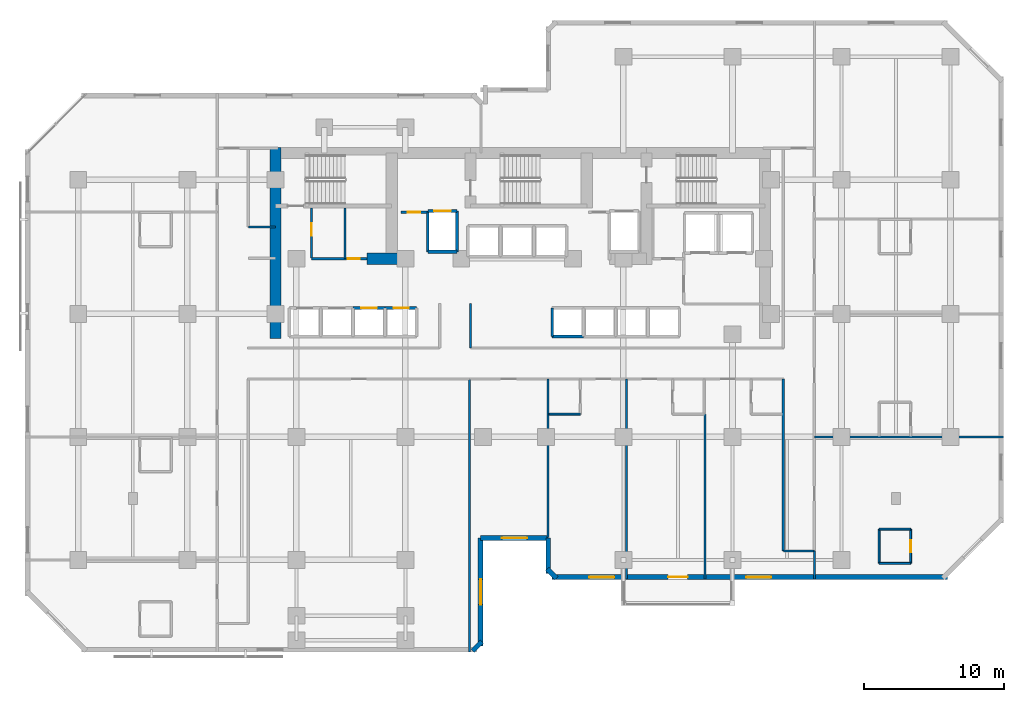
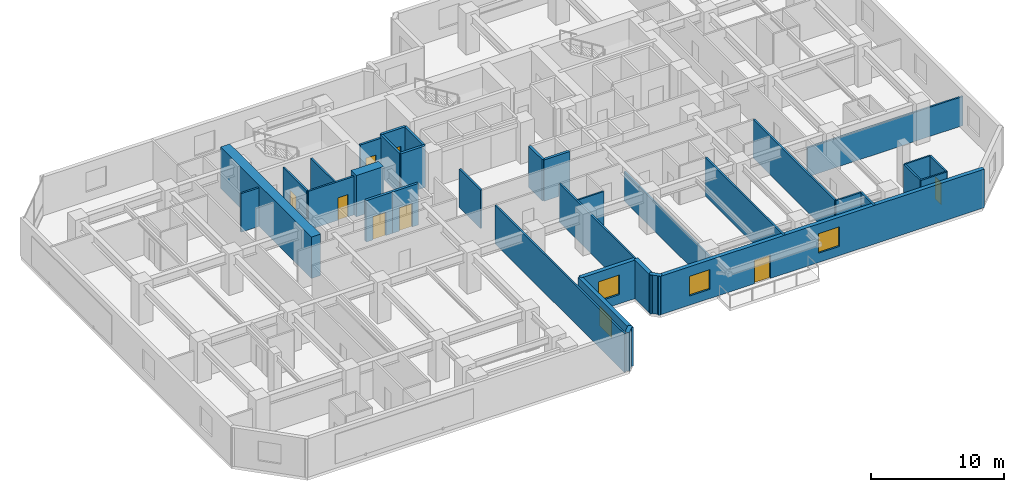
# One storey, part 7 of 12: 35 walls, 8 doors, 4 windows, 12 openings.
"""IFC4 building model written with IfcOpenShell, lengths in metres."""

from ifc_helpers import new_model, si_unit, direction, frame, frame_2d, origin, place, context, subcontext, project, spatial, rectangle, extrude, material, layer, layer_set, type_object, element, fill, save


model = new_model("IFC4")

# Units and contexts
model_context = context("Model", 3, precision=1e-05, world=origin(), true_north=direction((0.0, 1.0)))
body_context = subcontext(model_context, "Body", "Model", "MODEL_VIEW")
ifc_project = project(units=[si_unit("LENGTHUNIT", "METRE"), si_unit("AREAUNIT", "SQUARE_METRE"), si_unit("VOLUMEUNIT", "CUBIC_METRE"), si_unit("PLANEANGLEUNIT", "RADIAN"), si_unit("MASSUNIT", "GRAM", prefix="KILO")], contexts=[model_context])

# Site, building, storey
site_placement = place(None, origin())
site = spatial("IfcSite", under=ifc_project, at=site_placement, CompositionType="ELEMENT")
building_placement = place(site_placement, origin())
building = spatial("IfcBuilding", under=site, at=building_placement, Name="Kestravale Grand Hotel", CompositionType="ELEMENT")
storey_placement = place(building_placement, frame((0.0, 0.0, 118.39990234375)))
storey = spatial("IfcBuildingStorey", under=building, at=storey_placement, Name="L29", CompositionType="ELEMENT", Elevation=118.39990234375)

# Walls
ifc_material_1 = material(Name="Concrete f'c 60 MPa", Category="concrete")
ifc_layer_1 = layer(ifc_material_1, 0.800048828125)
ifc_layer_set_1 = layer_set([ifc_layer_1], Name="EW-CORE-800")
wall_type_1 = type_object("IfcWallType", Name="EW-CORE-800", PredefinedType="SHEAR", material=ifc_layer_set_1)
wall_1_placement = place(storey_placement, frame((21.89990234375, 27.050048828125, 0.0), z_axis=(0.0, 0.0, 1.0), x_axis=(0.0, 1.0, 0.0)))
element("IfcWall", 1, at=wall_1_placement, inside=storey, type_object=wall_type_1, Name="L29 core shear wall W1", PredefinedType="SHEAR", context=body_context, shape_type="SweptSolid", body=[
    extrude(rectangle(XDim=13.669921875, YDim=0.800048828125, at=frame_2d((6.8349609375, 0.0))), origin(), (0.0, 0.0, 1.0), 3.800048828125),
])
wall_2_placement = place(storey_placement, frame((28.449951171875, 32.75, 0.0), z_axis=(0.0, 0.0, 1.0), x_axis=(1.0, 0.0, 0.0)))
element("IfcWall", 2, at=wall_2_placement, inside=storey, type_object=wall_type_1, Name="L29 core shear wall S1", PredefinedType="SHEAR", context=body_context, shape_type="SweptSolid", body=[
    extrude(rectangle(XDim=2.400146484375, YDim=0.800048828125, at=frame_2d((1.2001953125, 0.0))), origin(), (0.0, 0.0, 1.0), 3.800048828125),
])
ifc_material_2 = material(Name="Precast concrete f'c 45 MPa", Category="concrete")
ifc_layer_2 = layer(ifc_material_2, 0.340087890625)
ifc_layer_set_2 = layer_set([ifc_layer_2], Name="EW-PREC-340")
wall_type_2 = type_object("IfcWallType", Name="EW-PREC-340", PredefinedType="SOLIDWALL", material=ifc_layer_set_2)
wall_3_placement = place(storey_placement, frame((36.00146484375, 4.69189453125, 0.0), z_axis=(0.0, 0.0, 1.0), x_axis=(0.707238225886, 0.706975312048, 0.0)))
element("IfcWall", 3, at=wall_3_placement, inside=storey, type_object=wall_type_2, Name="L29 fluted precast facade wall 2", PredefinedType="SOLIDWALL", context=body_context, shape_type="SweptSolid", body=[
    extrude(rectangle(XDim=0.9287109375, YDim=0.340087890625, at=frame_2d((0.46435546875, 0.0))), origin(), (0.0, 0.0, 1.0), 3.5400390625),
])

# Wall, opening, window
wall_4_placement = place(storey_placement, frame((36.580078125, 5.030029296875, 0.0), z_axis=(0.0, 0.0, 1.0), x_axis=(0.0, 1.0, 0.0)))
wall_4 = element("IfcWall", 4, at=wall_4_placement, inside=storey, type_object=wall_type_2, Name="L29 fluted precast facade wall 3", PredefinedType="SOLIDWALL", context=body_context, shape_type="SweptSolid", body=[
    extrude(rectangle(XDim=7.739990234375, YDim=0.340087890625, at=frame_2d((3.8701171875, 0.0))), origin(), (0.0, 0.0, 1.0), 3.5400390625),
])
opening_1_placement = place(wall_4_placement, frame((2.969970703125, 0.0, 0.85009765625)))
opening_1 = element("IfcOpeningElement", 5, at=opening_1_placement, cuts=wall_4, Name="Opening W-GUEST-1800", PredefinedType="OPENING", context=body_context, shape_type="SweptSolid", body=[
    extrude(rectangle(XDim=1.800048828125, YDim=1.800048828125, at=frame_2d((0.89990234375, 0.89990234375))), frame((0.0, 0.179931640625, 0.0), z_axis=(0.0, -1.0, 0.0), x_axis=(1.0, 0.0, 0.0)), (0.0, 0.0, 1.0), 0.360107421875),
])
ifc_material_3 = material(Name="Insulated low-E double glazing in aluminium frame", Category="aluminium")
window_type = type_object("IfcWindowType", Name="W-GUEST-1800", PartitioningType="DOUBLE_PANEL_VERTICAL", PredefinedType="WINDOW", material=ifc_material_3)
window_1_placement = place(opening_1_placement, origin())
window_1 = element("IfcWindow", 6, at=window_1_placement, inside=storey, type_object=window_type, Name="L29 exterior window 3.1", OverallHeight=1.800048828125, OverallWidth=1.800048828125, PartitioningType="SINGLE_PANEL", PredefinedType="WINDOW", context=body_context, shape_type="SweptSolid", body=[
    extrude(rectangle(XDim=1.800048828125, YDim=1.800048828125, at=frame_2d((0.89990234375, 0.89990234375))), frame((0.0, 0.030029296875, 0.0), z_axis=(0.0, -1.0, 0.0), x_axis=(1.0, 0.0, 0.0)), (0.0, 0.0, 1.0), 0.06005859375),
])
fill(opening_1, window_1)

wall_5_placement = place(storey_placement, frame((36.580078125, 12.77001953125, 0.0), z_axis=(0.0, 0.0, 1.0), x_axis=(1.0, 0.0, 0.0)))
wall_5 = element("IfcWall", 7, at=wall_5_placement, inside=storey, type_object=wall_type_2, Name="L29 fluted precast facade wall 4", PredefinedType="SOLIDWALL", context=body_context, shape_type="SweptSolid", body=[
    extrude(rectangle(XDim=4.83984375, YDim=0.340087890625, at=frame_2d((2.419921875, 0.0))), origin(), (0.0, 0.0, 1.0), 3.5400390625),
])
opening_2_placement = place(wall_5_placement, frame((1.52001953125, 0.0, 0.85009765625)))
opening_2 = element("IfcOpeningElement", 8, at=opening_2_placement, cuts=wall_5, Name="Opening W-GUEST-1800", PredefinedType="OPENING", context=body_context, shape_type="SweptSolid", body=[
    extrude(rectangle(XDim=1.800048828125, YDim=1.800048828125, at=frame_2d((0.89990234375, 0.89990234375))), frame((0.0, 0.179931640625, 0.0), z_axis=(0.0, -1.0, 0.0), x_axis=(1.0, 0.0, 0.0)), (0.0, 0.0, 1.0), 0.360107421875),
])
window_2_placement = place(opening_2_placement, origin())
window_2 = element("IfcWindow", 9, at=window_2_placement, inside=storey, type_object=window_type, Name="L29 exterior window 4.1", OverallHeight=1.800048828125, OverallWidth=1.800048828125, PartitioningType="SINGLE_PANEL", PredefinedType="WINDOW", context=body_context, shape_type="SweptSolid", body=[
    extrude(rectangle(XDim=1.800048828125, YDim=1.800048828125, at=frame_2d((0.89990234375, 0.89990234375))), frame((0.0, 0.030029296875, 0.0), z_axis=(0.0, -1.0, 0.0), x_axis=(1.0, 0.0, 0.0)), (0.0, 0.0, 1.0), 0.06005859375),
])
fill(opening_2, window_2)

# Walls
wall_6_placement = place(storey_placement, frame((41.419921875, 12.77001953125, 0.0), z_axis=(0.0, 0.0, 1.0), x_axis=(0.0, -1.0, 0.0)))
element("IfcWall", 10, at=wall_6_placement, inside=storey, type_object=wall_type_2, Name="L29 fluted precast facade wall 5", PredefinedType="SOLIDWALL", context=body_context, shape_type="SweptSolid", body=[
    extrude(rectangle(XDim=2.5400390625, YDim=0.340087890625, at=frame_2d((1.27001953125, 0.0))), origin(), (0.0, 0.0, 1.0), 3.5400390625),
])
wall_7_placement = place(storey_placement, frame((41.341796875, 10.548583984375, 0.0), z_axis=(0.0, 0.0, 1.0), x_axis=(0.707106781187, -0.707106781187, 0.0)))
element("IfcWall", 11, at=wall_7_placement, inside=storey, type_object=wall_type_2, Name="L29 fluted precast facade wall 6", PredefinedType="SOLIDWALL", context=body_context, shape_type="SweptSolid", body=[
    extrude(rectangle(XDim=0.9287109375, YDim=0.340087890625, at=frame_2d((0.46435546875, 0.0))), origin(), (0.0, 0.0, 1.0), 3.5400390625),
])

# Wall, openings, door, windows
wall_8_placement = place(storey_placement, frame((41.679931640625, 9.969970703125, 0.0), z_axis=(0.0, 0.0, 1.0), x_axis=(1.0, 0.0, 0.0)))
wall_8 = element("IfcWall", 12, at=wall_8_placement, inside=storey, type_object=wall_type_2, Name="L29 fluted precast facade wall 7", PredefinedType="SOLIDWALL", context=body_context, shape_type="SweptSolid", body=[
    extrude(rectangle(XDim=28.2900390625, YDim=0.340087890625, at=frame_2d((14.14501953125, 0.0))), origin(), (0.0, 0.0, 1.0), 3.5400390625),
])
opening_3_placement = place(wall_8_placement, frame((8.320068359375, 0.0, 0.0)))
opening_3 = element("IfcOpeningElement", 13, at=opening_3_placement, cuts=wall_8, Name="Opening D-TERR-1400", PredefinedType="OPENING", context=body_context, shape_type="SweptSolid", body=[
    extrude(rectangle(XDim=1.39990234375, YDim=2.14990234375, at=frame_2d((0.699951171875, 1.074951171875))), frame((0.0, 0.179931640625, 0.0), z_axis=(0.0, -1.0, 0.0), x_axis=(1.0, 0.0, 0.0)), (0.0, 0.0, 1.0), 0.360107421875),
])
opening_4_placement = place(wall_8_placement, frame((2.6650390625, 0.0, 0.85009765625)))
opening_4 = element("IfcOpeningElement", 14, at=opening_4_placement, cuts=wall_8, Name="Opening W-GUEST-1800", PredefinedType="OPENING", context=body_context, shape_type="SweptSolid", body=[
    extrude(rectangle(XDim=1.800048828125, YDim=1.800048828125, at=frame_2d((0.89990234375, 0.89990234375))), frame((0.0, 0.179931640625, 0.0), z_axis=(0.0, -1.0, 0.0), x_axis=(1.0, 0.0, 0.0)), (0.0, 0.0, 1.0), 0.360107421875),
])
opening_5_placement = place(wall_8_placement, frame((13.89501953125, 0.0, 0.85009765625)))
opening_5 = element("IfcOpeningElement", 15, at=opening_5_placement, cuts=wall_8, Name="Opening W-GUEST-1800", PredefinedType="OPENING", context=body_context, shape_type="SweptSolid", body=[
    extrude(rectangle(XDim=1.800048828125, YDim=1.800048828125, at=frame_2d((0.89990234375, 0.89990234375))), frame((0.0, 0.179931640625, 0.0), z_axis=(0.0, -1.0, 0.0), x_axis=(1.0, 0.0, 0.0)), (0.0, 0.0, 1.0), 0.360107421875),
])
ifc_material_4 = material(Name="Insulated glazed champagne-bronze aluminium door", Category="aluminium")
door_type_1 = type_object("IfcDoorType", Name="D-TERR-1400", OperationType="NOTDEFINED", PredefinedType="DOOR", material=ifc_material_4)
door_1_placement = place(opening_3_placement, origin())
door_1 = element("IfcDoor", 16, at=door_1_placement, inside=storey, type_object=door_type_1, Name="L29 outdoor garden terrace door", OperationType="DOUBLE_DOOR_SINGLE_SWING", OverallHeight=2.14990234375, OverallWidth=1.39990234375, PredefinedType="DOOR", context=body_context, shape_type="SweptSolid", body=[
    extrude(rectangle(XDim=1.39990234375, YDim=2.14990234375, at=frame_2d((0.699951171875, 1.074951171875))), frame((0.0, 0.02490234375, 0.0), z_axis=(0.0, -1.0, 0.0), x_axis=(1.0, 0.0, 0.0)), (0.0, 0.0, 1.0), 0.050048828125),
])
fill(opening_3, door_1)
window_3_placement = place(opening_4_placement, origin())
window_3 = element("IfcWindow", 17, at=window_3_placement, inside=storey, type_object=window_type, Name="L29 exterior window 7.1", OverallHeight=1.800048828125, OverallWidth=1.800048828125, PartitioningType="SINGLE_PANEL", PredefinedType="WINDOW", context=body_context, shape_type="SweptSolid", body=[
    extrude(rectangle(XDim=1.800048828125, YDim=1.800048828125, at=frame_2d((0.89990234375, 0.89990234375))), frame((0.0, 0.030029296875, 0.0), z_axis=(0.0, -1.0, 0.0), x_axis=(1.0, 0.0, 0.0)), (0.0, 0.0, 1.0), 0.06005859375),
])
fill(opening_4, window_3)
window_4_placement = place(opening_5_placement, origin())
window_4 = element("IfcWindow", 18, at=window_4_placement, inside=storey, type_object=window_type, Name="L29 exterior window 7.2", OverallHeight=1.800048828125, OverallWidth=1.800048828125, PartitioningType="SINGLE_PANEL", PredefinedType="WINDOW", context=body_context, shape_type="SweptSolid", body=[
    extrude(rectangle(XDim=1.800048828125, YDim=1.800048828125, at=frame_2d((0.89990234375, 0.89990234375))), frame((0.0, 0.030029296875, 0.0), z_axis=(0.0, -1.0, 0.0), x_axis=(1.0, 0.0, 0.0)), (0.0, 0.0, 1.0), 0.06005859375),
])
fill(opening_5, window_4)

# Wall, opening, door
ifc_material_5 = material(Name="Acoustic fire-rated gypsum board partition", Category="other")
ifc_layer_3 = layer(ifc_material_5, 0.159912109375)
ifc_layer_set_3 = layer_set([ifc_layer_3], Name="IW-CORR-160")
wall_type_3 = type_object("IfcWallType", Name="IW-CORR-160", PredefinedType="PARTITIONING", material=ifc_layer_set_3)
wall_9_placement = place(storey_placement, frame((24.47998046875, 32.800048828125, 0.0), z_axis=(0.0, 0.0, 1.0), x_axis=(0.0, 1.0, 0.0)))
wall_9 = element("IfcWall", 19, at=wall_9_placement, inside=storey, type_object=wall_type_3, Name="L29 west core vestibule wall", PredefinedType="PARTITIONING", context=body_context, shape_type="SweptSolid", body=[
    extrude(rectangle(XDim=3.570068359375, YDim=0.159912109375, at=frame_2d((1.78515625, 0.0))), origin(), (0.0, 0.0, 1.0), 3.5400390625),
])
opening_6_placement = place(wall_9_placement, frame((1.603515625, 0.0, 0.0)))
opening_6 = element("IfcOpeningElement", 20, at=opening_6_placement, cuts=wall_9, Name="Opening D-SH-900", PredefinedType="OPENING", context=body_context, shape_type="SweptSolid", body=[
    extrude(rectangle(XDim=0.89990234375, YDim=2.10009765625, at=frame_2d((0.449951171875, 1.050048828125))), frame((0.0, 0.08984375, 0.0), z_axis=(0.0, -1.0, 0.0), x_axis=(1.0, 0.0, 0.0)), (0.0, 0.0, 1.0), 0.179931640625),
])
ifc_material_6 = material(Name="Galvanised 90-minute shaft and service fire door", Category="steel")
door_type_2 = type_object("IfcDoorType", Name="D-SH-900", OperationType="NOTDEFINED", PredefinedType="DOOR", material=ifc_material_6)
door_2_placement = place(opening_6_placement, origin())
door_2 = element("IfcDoor", 21, at=door_2_placement, inside=storey, type_object=door_type_2, Name="D-L29-HK", OperationType="SINGLE_SWING_RIGHT", OverallHeight=2.10009765625, OverallWidth=0.89990234375, PredefinedType="DOOR", context=body_context, shape_type="SweptSolid", body=[
    extrude(rectangle(XDim=0.89990234375, YDim=2.10009765625, at=frame_2d((0.449951171875, 1.050048828125))), frame((0.0, 0.02490234375, 0.0), z_axis=(0.0, -1.0, 0.0), x_axis=(1.0, 0.0, 0.0)), (0.0, 0.0, 1.0), 0.050048828125),
])
fill(opening_6, door_2)

wall_10_placement = place(storey_placement, frame((24.47998046875, 32.75, 0.0), z_axis=(0.0, 0.0, 1.0), x_axis=(1.0, 0.0, 0.0)))
wall_10 = element("IfcWall", 22, at=wall_10_placement, inside=storey, type_object=wall_type_3, Name="W-L29-CWS", PredefinedType="PARTITIONING", context=body_context, shape_type="SweptSolid", body=[
    extrude(rectangle(XDim=3.969970703125, YDim=0.159912109375, at=frame_2d((1.98486328125, 0.0))), origin(), (0.0, 0.0, 1.0), 3.5400390625),
])
opening_7_placement = place(wall_10_placement, frame((2.5849609375, 0.0, 0.0)))
opening_7 = element("IfcOpeningElement", 23, at=opening_7_placement, cuts=wall_10, Name="Opening D-SH-860", PredefinedType="OPENING", context=body_context, shape_type="SweptSolid", body=[
    extrude(rectangle(XDim=0.860107421875, YDim=2.050048828125, at=frame_2d((0.43017578125, 1.02490234375))), frame((0.0, 0.08984375, 0.0), z_axis=(0.0, -1.0, 0.0), x_axis=(1.0, 0.0, 0.0)), (0.0, 0.0, 1.0), 0.179931640625),
])
ifc_material_7 = material(Name="Galvanised 90-minute riser fire door", Category="steel")
door_type_3 = type_object("IfcDoorType", Name="D-SH-860", OperationType="NOTDEFINED", PredefinedType="DOOR", material=ifc_material_7)
door_3_placement = place(opening_7_placement, origin())
door_3 = element("IfcDoor", 24, at=door_3_placement, inside=storey, type_object=door_type_3, Name="D-L29-ELEC", OperationType="SINGLE_SWING_RIGHT", OverallHeight=2.050048828125, OverallWidth=0.860107421875, PredefinedType="DOOR", context=body_context, shape_type="SweptSolid", body=[
    extrude(rectangle(XDim=0.860107421875, YDim=2.050048828125, at=frame_2d((0.43017578125, 1.02490234375))), frame((0.0, 0.02490234375, 0.0), z_axis=(0.0, -1.0, 0.0), x_axis=(1.0, 0.0, 0.0)), (0.0, 0.0, 1.0), 0.050048828125),
])
fill(opening_7, door_3)

# Walls
wall_11_placement = place(storey_placement, frame((35.85009765625, 26.360107421875, 0.0), z_axis=(0.0, 0.0, 1.0), x_axis=(0.0, 1.0, 0.0)))
element("IfcWall", 25, at=wall_11_placement, inside=storey, type_object=wall_type_3, Name="W-L29-TRUNK-E", PredefinedType="PARTITIONING", context=body_context, shape_type="SweptSolid", body=[
    extrude(rectangle(XDim=3.18994140625, YDim=0.159912109375, at=frame_2d((1.594970703125, 0.0))), origin(), (0.0, 0.0, 1.0), 3.5400390625),
])
wall_12_placement = place(storey_placement, frame((19.9599609375, 35.02001953125, 0.0), z_axis=(0.0, 0.0, 1.0), x_axis=(1.0, 0.0, 0.0)))
element("IfcWall", 26, at=wall_12_placement, inside=storey, type_object=wall_type_3, Name="W-L29-SW-CN", PredefinedType="PARTITIONING", context=body_context, shape_type="SweptSolid", body=[
    extrude(rectangle(XDim=1.93994140625, YDim=0.159912109375, at=frame_2d((0.969970703125, 0.0))), origin(), (0.0, 0.0, 1.0), 3.5400390625),
])
wall_13_placement = place(storey_placement, frame((58.239990234375, 11.85009765625, 0.0), z_axis=(0.0, 0.0, 1.0), x_axis=(0.0, 1.0, 0.0)))
element("IfcWall", 27, at=wall_13_placement, inside=storey, type_object=wall_type_3, Name="W-L29-SE-W", PredefinedType="PARTITIONING", context=body_context, shape_type="SweptSolid", body=[
    extrude(rectangle(XDim=12.289794921875, YDim=0.159912109375, at=frame_2d((6.14501953125, 0.0))), origin(), (0.0, 0.0, 1.0), 3.5400390625),
])

# Wall, opening, door
ifc_material_8 = material(Name="Fire-rated gypsum board on steel studs with mineral wool", Category="steel")
ifc_layer_4 = layer(ifc_material_8, 0.179931640625)
ifc_layer_set_4 = layer_set([ifc_layer_4], Name="IW-FSAE-180")
wall_type_4 = type_object("IfcWallType", Name="IW-FSAE-180", PredefinedType="PARTITIONING", material=ifc_layer_set_4)
wall_14_placement = place(storey_placement, frame((30.89990234375, 36.080078125, 0.0), z_axis=(0.0, 0.0, 1.0), x_axis=(1.0, 0.0, 0.0)))
wall_14 = element("IfcWall", 28, at=wall_14_placement, inside=storey, type_object=wall_type_4, Name="L29 FSAE Lobby 1 smoke barrier", PredefinedType="PARTITIONING", context=body_context, shape_type="SweptSolid", body=[
    extrude(rectangle(XDim=1.85009765625, YDim=0.179931640625, at=frame_2d((0.925048828125, 0.0))), origin(), (0.0, 0.0, 1.0), 3.5400390625),
])
opening_8_placement = place(wall_14_placement, frame((0.47998046875, 0.0, 0.0)))
opening_8 = element("IfcOpeningElement", 29, at=opening_8_placement, cuts=wall_14, Name="Opening D-FSAE-1000", PredefinedType="OPENING", context=body_context, shape_type="SweptSolid", body=[
    extrude(rectangle(XDim=0.89990234375, YDim=2.14990234375, at=frame_2d((0.449951171875, 1.074951171875))), frame((0.0, 0.099853515625, 0.0), z_axis=(0.0, -1.0, 0.0), x_axis=(1.0, 0.0, 0.0)), (0.0, 0.0, 1.0), 0.199951171875),
])
ifc_material_9 = material(Name="Smoke-gasketed FSAE lobby fire door", Category="steel")
door_type_4 = type_object("IfcDoorType", Name="D-FSAE-1000", OperationType="NOTDEFINED", PredefinedType="DOOR", material=ifc_material_9)
door_4_placement = place(opening_8_placement, origin())
door_4 = element("IfcDoor", 30, at=door_4_placement, inside=storey, type_object=door_type_4, Name="L29 FSAE Lobby 1 fire door", OperationType="SINGLE_SWING_RIGHT", OverallHeight=2.14990234375, OverallWidth=0.89990234375, PredefinedType="DOOR", context=body_context, shape_type="SweptSolid", body=[
    extrude(rectangle(XDim=0.89990234375, YDim=2.14990234375, at=frame_2d((0.449951171875, 1.074951171875))), frame((0.0, 0.02490234375, 0.0), z_axis=(0.0, -1.0, 0.0), x_axis=(1.0, 0.0, 0.0)), (0.0, 0.0, 1.0), 0.050048828125),
])
fill(opening_8, door_4)

# Walls
ifc_material_10 = material(Name="Moisture-resistant tile-backer plumbing chase wall", Category="other")
ifc_layer_5 = layer(ifc_material_10, 0.139892578125)
ifc_layer_set_5 = layer_set([ifc_layer_5], Name="IW-PLB-140")
wall_type_5 = type_object("IfcWallType", Name="IW-PLB-140", PredefinedType="PLUMBINGWALL", material=ifc_layer_set_5)
wall_15_placement = place(storey_placement, frame((41.469970703125, 21.6298828125, 0.0), z_axis=(0.0, 0.0, 1.0), x_axis=(1.0, 0.0, 0.0)))
element("IfcWall", 31, at=wall_15_placement, inside=storey, type_object=wall_type_5, Name="W-L29-U01-BS", PredefinedType="PLUMBINGWALL", context=body_context, shape_type="SweptSolid", body=[
    extrude(rectangle(XDim=2.25, YDim=0.139892578125, at=frame_2d((1.125, 0.0))), origin(), (0.0, 0.0, 1.0), 3.5400390625),
])
wall_16_placement = place(storey_placement, frame((65.10009765625, 10.949951171875, 0.0), z_axis=(0.0, 0.0, 1.0), x_axis=(0.0, 1.0, 0.0)))
element("IfcWall", 32, at=wall_16_placement, inside=storey, type_object=wall_type_5, Name="W-L29-U07-BW", PredefinedType="PLUMBINGWALL", context=body_context, shape_type="SweptSolid", body=[
    extrude(rectangle(XDim=2.449951171875, YDim=0.139892578125, at=frame_2d((1.22509765625, 0.0))), origin(), (0.0, 0.0, 1.0), 3.5400390625),
])

# Wall, opening, door
wall_17_placement = place(storey_placement, frame((67.35009765625, 10.949951171875, 0.0), z_axis=(0.0, 0.0, 1.0), x_axis=(0.0, 1.0, 0.0)))
wall_17 = element("IfcWall", 33, at=wall_17_placement, inside=storey, type_object=wall_type_5, Name="W-L29-U07-BE", PredefinedType="PLUMBINGWALL", context=body_context, shape_type="SweptSolid", body=[
    extrude(rectangle(XDim=2.449951171875, YDim=0.139892578125, at=frame_2d((1.22509765625, 0.0))), origin(), (0.0, 0.0, 1.0), 3.5400390625),
])
opening_9_placement = place(wall_17_placement, frame((0.784912109375, 0.0, 0.0)))
opening_9 = element("IfcOpeningElement", 34, at=opening_9_placement, cuts=wall_17, Name="Opening D-BATH-880", PredefinedType="OPENING", context=body_context, shape_type="SweptSolid", body=[
    extrude(rectangle(XDim=0.8798828125, YDim=2.050048828125, at=frame_2d((0.43994140625, 1.02490234375))), frame((0.0, 0.079833984375, 0.0), z_axis=(0.0, -1.0, 0.0), x_axis=(1.0, 0.0, 0.0)), (0.0, 0.0, 1.0), 0.159912109375),
])
ifc_material_11 = material(Name="Moisture-sealed walnut en-suite bathroom door", Category="wood")
door_type_5 = type_object("IfcDoorType", Name="D-BATH-880", OperationType="NOTDEFINED", PredefinedType="DOOR", material=ifc_material_11)
door_5_placement = place(opening_9_placement, origin())
door_5 = element("IfcDoor", 35, at=door_5_placement, inside=storey, type_object=door_type_5, Name="D-L29-U07-BATH", OperationType="SINGLE_SWING_RIGHT", OverallHeight=2.050048828125, OverallWidth=0.8798828125, PredefinedType="DOOR", context=body_context, shape_type="SweptSolid", body=[
    extrude(rectangle(XDim=0.8798828125, YDim=2.050048828125, at=frame_2d((0.43994140625, 1.02490234375))), frame((0.0, 0.02490234375, 0.0), z_axis=(0.0, -1.0, 0.0), x_axis=(1.0, 0.0, 0.0)), (0.0, 0.0, 1.0), 0.050048828125),
])
fill(opening_9, door_5)

# Walls
for number, where, z_axis, x_axis, name in (
    (36, (65.10009765625, 10.949951171875, 0.0), (0.0, 0.0, 1.0), (1.0, 0.0, 0.0), "W-L29-U07-BS"),
    (37, (65.10009765625, 13.39990234375, 0.0), (0.0, 0.0, 1.0), (1.0, 0.0, 0.0), "W-L29-U07-BN"),
):
    element("IfcWall", number, at=place(storey_placement, frame(where, z_axis=z_axis, x_axis=x_axis)), inside=storey, type_object=wall_type_5, Name=name, PredefinedType="PLUMBINGWALL", context=body_context, shape_type="SweptSolid", body=[
        extrude(rectangle(XDim=2.25, YDim=0.139892578125, at=frame_2d((1.125, 0.0))), origin(), (0.0, 0.0, 1.0), 3.5400390625),
    ])
ifc_material_12 = material(Name="Concrete f'c 45 MPa", Category="concrete")
ifc_layer_6 = layer(ifc_material_12, 0.199951171875)
ifc_layer_set_6 = layer_set([ifc_layer_6], Name="IW-SHAFT-200")
wall_type_6 = type_object("IfcWallType", Name="IW-SHAFT-200", PredefinedType="SHEAR", material=ifc_layer_set_6)
wall_18_placement = place(storey_placement, frame((41.705078125, 27.169921875, 0.0), z_axis=(0.0, 0.0, 1.0), x_axis=(0.0, 1.0, 0.0)))
element("IfcWall", 38, at=wall_18_placement, inside=storey, type_object=wall_type_6, Name="L29 PL-M1 west shaft wall", PredefinedType="SHEAR", context=body_context, shape_type="SweptSolid", body=[
    extrude(rectangle(XDim=2.06005859375, YDim=0.199951171875, at=frame_2d((1.030029296875, 0.0))), origin(), (0.0, 0.0, 1.0), 3.800048828125),
])
for number, where, z_axis, x_axis, name in (
    (39, (32.804931640625, 33.2451171875, 0.0), (0.0, 0.0, 1.0), (0.0, 1.0, 0.0), "L29 FL-1 west shaft wall"),
    (40, (34.89501953125, 33.2451171875, 0.0), (0.0, 0.0, 1.0), (0.0, 1.0, 0.0), "L29 FL-1 east shaft wall"),
):
    element("IfcWall", number, at=place(storey_placement, frame(where, z_axis=z_axis, x_axis=x_axis)), inside=storey, type_object=wall_type_6, Name=name, PredefinedType="SHEAR", context=body_context, shape_type="SweptSolid", body=[
        extrude(rectangle(XDim=2.909912109375, YDim=0.199951171875, at=frame_2d((1.455078125, 0.0))), origin(), (0.0, 0.0, 1.0), 3.800048828125),
    ])

# Wall, opening, door
ifc_material_13 = material(Name="Concrete f'c 45 MPa", Category="concrete")
ifc_layer_7 = layer(ifc_material_13, 0.219970703125)
ifc_layer_set_7 = layer_set([ifc_layer_7], Name="IW-SHAFT-220")
wall_type_7 = type_object("IfcWallType", Name="IW-SHAFT-220", PredefinedType="SHEAR", material=ifc_layer_set_7)
wall_19_placement = place(storey_placement, frame((27.449951171875, 29.22998046875, 0.0), z_axis=(0.0, 0.0, 1.0), x_axis=(1.0, 0.0, 0.0)))
wall_19 = element("IfcWall", 41, at=wall_19_placement, inside=storey, type_object=wall_type_7, Name="L29 PL-L3 north shaft wall", PredefinedType="SHEAR", context=body_context, shape_type="SweptSolid", body=[
    extrude(rectangle(XDim=2.300048828125, YDim=0.219970703125, at=frame_2d((1.14990234375, 0.0))), origin(), (0.0, 0.0, 1.0), 3.800048828125),
])
opening_10_placement = place(wall_19_placement, frame((0.60009765625, 0.0, 0.0)))
opening_10 = element("IfcOpeningElement", 42, at=opening_10_placement, cuts=wall_19, Name="Opening LD-PAX-1100", PredefinedType="OPENING", context=body_context, shape_type="SweptSolid", body=[
    extrude(rectangle(XDim=1.10009765625, YDim=2.14990234375, at=frame_2d((0.550048828125, 1.074951171875))), frame((0.0, 0.119873046875, 0.0), z_axis=(0.0, -1.0, 0.0), x_axis=(1.0, 0.0, 0.0)), (0.0, 0.0, 1.0), 0.239990234375),
])
ifc_material_14 = material(Name="Champagne-bronze center-opening sliding elevator landing door", Category="steel")
door_type_6 = type_object("IfcDoorType", Name="LD-PAX-1100", OperationType="NOTDEFINED", PredefinedType="DOOR", material=ifc_material_14)
door_6_placement = place(opening_10_placement, origin())
door_6 = element("IfcDoor", 43, at=door_6_placement, inside=storey, type_object=door_type_6, Name="L29 PL-L3 elevator landing sliding door", OperationType="DOUBLE_DOOR_SLIDING", OverallHeight=2.14990234375, OverallWidth=1.10009765625, PredefinedType="DOOR", context=body_context, shape_type="SweptSolid", body=[
    extrude(rectangle(XDim=1.10009765625, YDim=2.14990234375, at=frame_2d((0.550048828125, 1.074951171875))), frame((0.0, 0.02490234375, 0.0), z_axis=(0.0, -1.0, 0.0), x_axis=(1.0, 0.0, 0.0)), (0.0, 0.0, 1.0), 0.050048828125),
])
fill(opening_10, door_6)

wall_20_placement = place(storey_placement, frame((29.75, 29.22998046875, 0.0), z_axis=(0.0, 0.0, 1.0), x_axis=(1.0, 0.0, 0.0)))
wall_20 = element("IfcWall", 44, at=wall_20_placement, inside=storey, type_object=wall_type_7, Name="L29 PL-L4 north shaft wall", PredefinedType="SHEAR", context=body_context, shape_type="SweptSolid", body=[
    extrude(rectangle(XDim=2.2451171875, YDim=0.219970703125, at=frame_2d((1.12255859375, 0.0))), origin(), (0.0, 0.0, 1.0), 3.800048828125),
])
opening_11_placement = place(wall_20_placement, frame((0.60009765625, 0.0, 0.0)))
opening_11 = element("IfcOpeningElement", 45, at=opening_11_placement, cuts=wall_20, Name="Opening LD-PAX-1100", PredefinedType="OPENING", context=body_context, shape_type="SweptSolid", body=[
    extrude(rectangle(XDim=1.10009765625, YDim=2.14990234375, at=frame_2d((0.550048828125, 1.074951171875))), frame((0.0, 0.119873046875, 0.0), z_axis=(0.0, -1.0, 0.0), x_axis=(1.0, 0.0, 0.0)), (0.0, 0.0, 1.0), 0.239990234375),
])
door_7_placement = place(opening_11_placement, origin())
door_7 = element("IfcDoor", 46, at=door_7_placement, inside=storey, type_object=door_type_6, Name="L29 PL-L4 elevator landing sliding door", OperationType="DOUBLE_DOOR_SLIDING", OverallHeight=2.14990234375, OverallWidth=1.10009765625, PredefinedType="DOOR", context=body_context, shape_type="SweptSolid", body=[
    extrude(rectangle(XDim=1.10009765625, YDim=2.14990234375, at=frame_2d((0.550048828125, 1.074951171875))), frame((0.0, 0.02490234375, 0.0), z_axis=(0.0, -1.0, 0.0), x_axis=(1.0, 0.0, 0.0)), (0.0, 0.0, 1.0), 0.050048828125),
])
fill(opening_11, door_7)

# Wall
wall_21_placement = place(storey_placement, frame((41.705078125, 27.169921875, 0.0), z_axis=(0.0, 0.0, 1.0), x_axis=(1.0, 0.0, 0.0)))
element("IfcWall", 47, at=wall_21_placement, inside=storey, type_object=wall_type_7, Name="L29 PL-M1 south shaft wall", PredefinedType="SHEAR", context=body_context, shape_type="SweptSolid", body=[
    extrude(rectangle(XDim=2.244873046875, YDim=0.219970703125, at=frame_2d((1.12255859375, 0.0))), origin(), (0.0, 0.0, 1.0), 3.800048828125),
])

# Wall, opening, door
wall_22_placement = place(storey_placement, frame((32.804931640625, 36.155029296875, 0.0), z_axis=(0.0, 0.0, 1.0), x_axis=(1.0, 0.0, 0.0)))
wall_22 = element("IfcWall", 48, at=wall_22_placement, inside=storey, type_object=wall_type_7, Name="L29 FL-1 north shaft wall", PredefinedType="SHEAR", context=body_context, shape_type="SweptSolid", body=[
    extrude(rectangle(XDim=2.090087890625, YDim=0.219970703125, at=frame_2d((1.044921875, 0.0))), origin(), (0.0, 0.0, 1.0), 3.800048828125),
])
opening_12_placement = place(wall_22_placement, frame((0.445068359375, 0.0, 0.0)))
opening_12 = element("IfcOpeningElement", 49, at=opening_12_placement, cuts=wall_22, Name="Opening LD-FSAE-1200", PredefinedType="OPENING", context=body_context, shape_type="SweptSolid", body=[
    extrude(rectangle(XDim=1.199951171875, YDim=2.14990234375, at=frame_2d((0.60009765625, 1.074951171875))), frame((0.0, 0.119873046875, 0.0), z_axis=(0.0, -1.0, 0.0), x_axis=(1.0, 0.0, 0.0)), (0.0, 0.0, 1.0), 0.239990234375),
])
ifc_material_15 = material(Name="Stainless fire-service sliding elevator landing door", Category="steel")
door_type_7 = type_object("IfcDoorType", Name="LD-FSAE-1200", OperationType="NOTDEFINED", PredefinedType="DOOR", material=ifc_material_15)
door_8_placement = place(opening_12_placement, origin())
door_8 = element("IfcDoor", 50, at=door_8_placement, inside=storey, type_object=door_type_7, Name="L29 FL-1 elevator landing sliding door", OperationType="DOUBLE_DOOR_SLIDING", OverallHeight=2.14990234375, OverallWidth=1.199951171875, PredefinedType="DOOR", context=body_context, shape_type="SweptSolid", body=[
    extrude(rectangle(XDim=1.199951171875, YDim=2.14990234375, at=frame_2d((0.60009765625, 1.074951171875))), frame((0.0, 0.02490234375, 0.0), z_axis=(0.0, -1.0, 0.0), x_axis=(1.0, 0.0, 0.0)), (0.0, 0.0, 1.0), 0.050048828125),
])
fill(opening_12, door_8)

# Walls
wall_23_placement = place(storey_placement, frame((32.804931640625, 33.2451171875, 0.0), z_axis=(0.0, 0.0, 1.0), x_axis=(1.0, 0.0, 0.0)))
element("IfcWall", 51, at=wall_23_placement, inside=storey, type_object=wall_type_7, Name="L29 FL-1 south shaft wall", PredefinedType="SHEAR", context=body_context, shape_type="SweptSolid", body=[
    extrude(rectangle(XDim=2.090087890625, YDim=0.219970703125, at=frame_2d((1.044921875, 0.0))), origin(), (0.0, 0.0, 1.0), 3.800048828125),
])
ifc_material_16 = material(Name="Double-stud STC 52 acoustic demising partition", Category="other")
ifc_layer_8 = layer(ifc_material_16, 0.14990234375)
ifc_layer_set_8 = layer_set([ifc_layer_8], Name="IW-UNIT-150")
wall_type_8 = type_object("IfcWallType", Name="IW-UNIT-150", PredefinedType="PARTITIONING", material=ifc_layer_set_8)
wall_24_placement = place(storey_placement, frame((26.8798828125, 32.75, 0.0), z_axis=(0.0, 0.0, 1.0), x_axis=(0.0, 1.0, 0.0)))
element("IfcWall", 52, at=wall_24_placement, inside=storey, type_object=wall_type_8, Name="W-L29-CC0-1", PredefinedType="PARTITIONING", context=body_context, shape_type="SweptSolid", body=[
    extrude(rectangle(XDim=3.6201171875, YDim=0.14990234375, at=frame_2d((1.81005859375, 0.0))), origin(), (0.0, 0.0, 1.0), 3.5400390625),
])
wall_25_placement = place(storey_placement, frame((58.239990234375, 11.85009765625, 0.0), z_axis=(0.0, 0.0, 1.0), x_axis=(1.0, 0.0, 0.0)))
element("IfcWall", 53, at=wall_25_placement, inside=storey, type_object=wall_type_8, Name="W-L29-SE-S", PredefinedType="PARTITIONING", context=body_context, shape_type="SweptSolid", body=[
    extrude(rectangle(XDim=2.219970703125, YDim=0.14990234375, at=frame_2d((1.10986328125, 0.0))), origin(), (0.0, 0.0, 1.0), 3.5400390625),
])
wall_26_placement = place(storey_placement, frame((35.800048828125, 4.6201171875, 0.0), z_axis=(0.0, 0.0, 1.0), x_axis=(0.0, 1.0, 0.0)))
element("IfcWall", 54, at=wall_26_placement, inside=storey, type_object=wall_type_8, Name="W-L29-MID-S", PredefinedType="PARTITIONING", context=body_context, shape_type="SweptSolid", body=[
    extrude(rectangle(XDim=19.5, YDim=0.14990234375, at=frame_2d((9.75, 0.0))), origin(), (0.0, 0.0, 1.0), 3.5400390625),
])
wall_27_placement = place(storey_placement, frame((41.409912109375, 12.7900390625, 0.0), z_axis=(0.0, 0.0, 1.0), x_axis=(0.0, 1.0, 0.0)))
element("IfcWall", 55, at=wall_27_placement, inside=storey, type_object=wall_type_8, Name="W-L29-ES-1", PredefinedType="PARTITIONING", context=body_context, shape_type="SweptSolid", body=[
    extrude(rectangle(XDim=11.349853515625, YDim=0.14990234375, at=frame_2d((5.6748046875, 0.0))), origin(), (0.0, 0.0, 1.0), 3.5400390625),
])
wall_28_placement = place(storey_placement, frame((47.02001953125, 9.820068359375, 0.0), z_axis=(0.0, 0.0, 1.0), x_axis=(0.0, 1.0, 0.0)))
element("IfcWall", 56, at=wall_28_placement, inside=storey, type_object=wall_type_8, Name="W-L29-ES-2", PredefinedType="PARTITIONING", context=body_context, shape_type="SweptSolid", body=[
    extrude(rectangle(XDim=14.31982421875, YDim=0.14990234375, at=frame_2d((7.159912109375, 0.0))), origin(), (0.0, 0.0, 1.0), 2.67919921875),
])
wall_29_placement = place(storey_placement, frame((52.6298828125, 9.820068359375, 0.0), z_axis=(0.0, 0.0, 1.0), x_axis=(0.0, 1.0, 0.0)))
element("IfcWall", 57, at=wall_29_placement, inside=storey, type_object=wall_type_8, Name="W-L29-ES-3", PredefinedType="PARTITIONING", context=body_context, shape_type="SweptSolid", body=[
    extrude(rectangle(XDim=11.809814453125, YDim=0.14990234375, at=frame_2d((5.90478515625, 0.0))), origin(), (0.0, 0.0, 1.0), 3.5400390625),
])
wall_30_placement = place(storey_placement, frame((60.4599609375, 9.820068359375, 0.0), z_axis=(0.0, 0.0, 1.0), x_axis=(0.0, 1.0, 0.0)))
element("IfcWall", 58, at=wall_30_placement, inside=storey, type_object=wall_type_8, Name="W-L29-SE-EXT", PredefinedType="PARTITIONING", context=body_context, shape_type="SweptSolid", body=[
    extrude(rectangle(XDim=2.030029296875, YDim=0.14990234375, at=frame_2d((1.01513671875, 0.0))), origin(), (0.0, 0.0, 1.0), 3.5400390625),
])
wall_31_placement = place(storey_placement, frame((60.4599609375, 20.0, 0.0), z_axis=(0.0, 0.0, 1.0), x_axis=(1.0, 0.0, 0.0)))
element("IfcWall", 59, at=wall_31_placement, inside=storey, type_object=wall_type_8, Name="W-L29-EW-1", PredefinedType="PARTITIONING", context=body_context, shape_type="SweptSolid", body=[
    extrude(rectangle(XDim=13.52001953125, YDim=0.14990234375, at=frame_2d((6.760009765625, 0.0))), origin(), (0.0, 0.0, 1.0), 2.67919921875),
])

save(model, "model.ifc")
